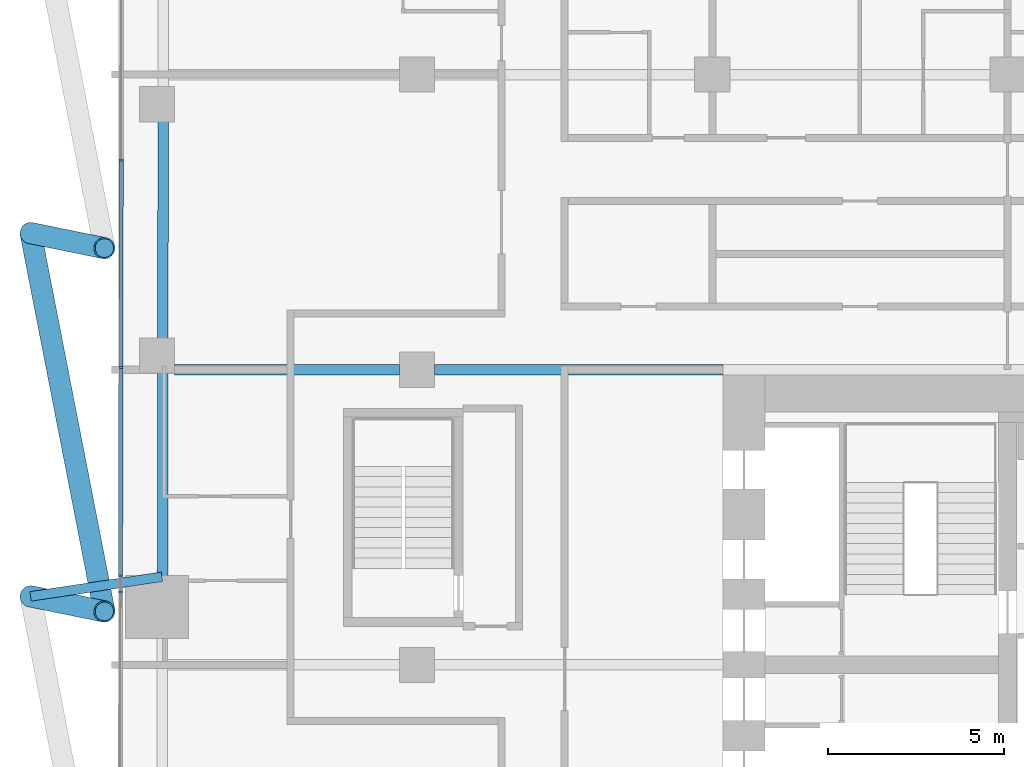
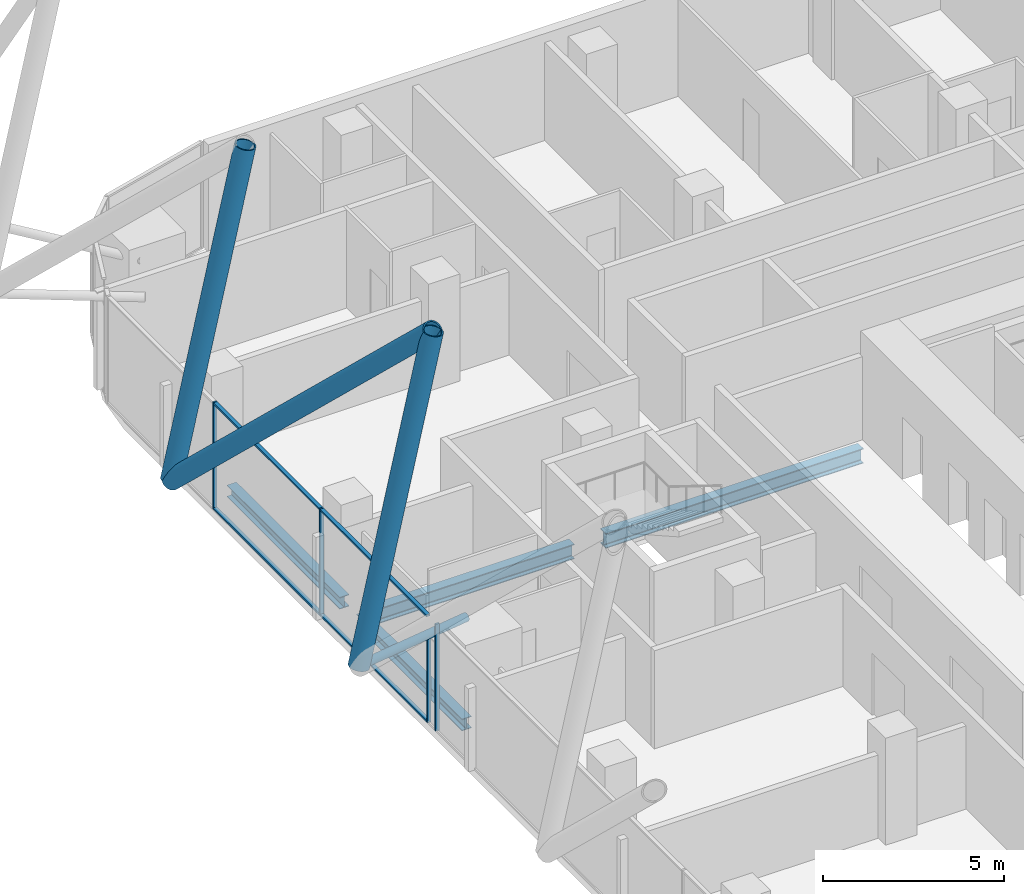
# One storey, part 9 of 36: 12 members, 4 beams, 3 elements without a shape of their own.
"""IFC4 building model written with IfcOpenShell, lengths in metres."""

import ifcopenshell
import ifcopenshell.guid

model = None  # the IFC model being written
_history = None  # IfcOwnerHistory: only IFC2X3 demands one
_inside = {}  # id of a spatial element -> (the spatial element, [elements in it])
_under = {}  # id of a project, library or spatial element -> (it, [spatial elements below it])
_declared = {}  # id of a project -> (the project, [libraries it declares])
_typed = {}  # id of a type object -> (the type object, [elements of that type])
_made_of = {}  # id of a material, layer set ... -> (it, [elements and type objects made of it])


def new_model(schema):
    """Start an empty IFC model of exactly this schema.

    Asked for "IFC4X3", IfcOpenShell would pick the latest addendum, in which some entities
    have other attributes; the version numbers below select the first issue.
    IFC2X3 requires an IfcOwnerHistory on every rooted entity: one is made here for all.
    """
    global model, _history
    if schema == "IFC4X3":
        model = ifcopenshell.file(schema_version=(4, 3, 0, 0))
    else:
        model = ifcopenshell.file(schema=schema)
    _inside.clear()
    _under.clear()
    _declared.clear()
    _typed.clear()
    _made_of.clear()
    _history = None
    if model.schema == "IFC2X3":
        org = make("IfcOrganization", Name="unknown")
        user = make(
            "IfcPersonAndOrganization",
            ThePerson=make("IfcPerson", FamilyName="unknown"),
            TheOrganization=org,
        )
        app = make(
            "IfcApplication",
            ApplicationDeveloper=org,
            Version="unknown",
            ApplicationFullName="unknown",
            ApplicationIdentifier="unknown",
        )
        _history = make(
            "IfcOwnerHistory",
            OwningUser=user,
            OwningApplication=app,
            ChangeAction="ADDED",
            CreationDate=0,
        )
    return model


def make(cls, **values):
    """One entity of the class cls with the attributes given. An attribute that is None is left unset."""
    return model.create_entity(
        cls, **{name: value for name, value in values.items() if value is not None}
    )


def rooted(cls, **values):
    """An entity with a GlobalId (a new one), such as an element, a storey or a relation."""
    return make(cls, GlobalId=ifcopenshell.guid.new(), OwnerHistory=_history, **values)


def si_unit(unit_type, name, prefix=None):
    """IfcSIUnit, for example si_unit("LENGTHUNIT", "METRE", prefix="MILLI")."""
    return make("IfcSIUnit", UnitType=unit_type, Prefix=prefix, Name=name)


def assignment(units):
    """IfcUnitAssignment: the units of a project."""
    return None if units is None else make("IfcUnitAssignment", Units=units)


def point(xyz):
    """IfcCartesianPoint."""
    return None if xyz is None else make("IfcCartesianPoint", Coordinates=xyz)


def direction(xyz):
    """IfcDirection."""
    return None if xyz is None else make("IfcDirection", DirectionRatios=xyz)


def frame(location, z_axis=None, x_axis=None):
    """IfcAxis2Placement3D, a coordinate frame: its origin and axes. An axis left out is left unset."""
    return make(
        "IfcAxis2Placement3D",
        Location=point(location),
        Axis=direction(z_axis),
        RefDirection=direction(x_axis),
    )


def frame_2d(location, x_axis=None):
    """IfcAxis2Placement2D, a coordinate frame in the plane: its origin and x axis."""
    return make(
        "IfcAxis2Placement2D", Location=point(location), RefDirection=direction(x_axis)
    )


def origin():
    """The frame at (0, 0, 0) with its axes left unset."""
    return frame((0.0, 0.0, 0.0))


def origin_2d():
    """The frame at (0, 0) in the plane with its x axis left unset."""
    return frame_2d((0.0, 0.0))


def place(relative_to, where):
    """IfcLocalPlacement: puts the frame where relative to a parent placement (None: the world)."""
    return make(
        "IfcLocalPlacement", PlacementRelTo=relative_to, RelativePlacement=where
    )


def context(
    kind, dimensions, precision=None, world=None, true_north=None, identifier=None
):
    """IfcGeometricRepresentationContext, for example the 3D "Model" context."""
    return make(
        "IfcGeometricRepresentationContext",
        ContextIdentifier=identifier,
        ContextType=kind,
        CoordinateSpaceDimension=dimensions,
        Precision=precision,
        WorldCoordinateSystem=world,
        TrueNorth=true_north,
    )


def subcontext(parent, identifier, kind, view, scale=None):
    """IfcGeometricRepresentationSubContext, for example "Body" below "Model"."""
    return make(
        "IfcGeometricRepresentationSubContext",
        ContextIdentifier=identifier,
        ContextType=kind,
        ParentContext=parent,
        TargetScale=scale,
        TargetView=view,
    )


def project(units=None, contexts=None):
    """IfcProject with its units and contexts."""
    return rooted(
        "IfcProject",
        Name="project",
        RepresentationContexts=contexts,
        UnitsInContext=assignment(units),
    )


def spatial(cls, under=None, at=None, **own):
    """A site, building, storey or space (cls), placed at a placement, below another one or the project."""
    s = rooted(cls, ObjectPlacement=at, **own)
    if under is not None:
        _under.setdefault(under.id(), (under, []))[1].append(s)
    return s


def profile(cls, at=None, kind="AREA", **sizes):
    """A parametric profile (cls). Its sizes go by their IFC names, for example OverallWidth=200.0."""
    return make(cls, ProfileType=kind, Position=at, **sizes)


def rectangle(**sizes):
    """IfcRectangleProfileDef."""
    return profile("IfcRectangleProfileDef", **sizes)


def hollow_circle(**sizes):
    """IfcCircleHollowProfileDef."""
    return profile("IfcCircleHollowProfileDef", **sizes)


def i_section(**sizes):
    """IfcIShapeProfileDef."""
    return profile("IfcIShapeProfileDef", **sizes)


def extrude(swept, where, along, depth):
    """IfcExtrudedAreaSolid: the profile swept, set in the frame where, extruded along a direction by depth."""
    return make(
        "IfcExtrudedAreaSolid",
        SweptArea=swept,
        Position=where,
        ExtrudedDirection=direction(along),
        Depth=depth,
    )


def shape(context_of_items, identifier, shape_type, items):
    """IfcShapeRepresentation: the items that make up one representation, for example the "Body"."""
    return make(
        "IfcShapeRepresentation",
        ContextOfItems=context_of_items,
        RepresentationIdentifier=identifier,
        RepresentationType=shape_type,
        Items=items,
    )


def material(Name=None, Category=None):
    """IfcMaterial."""
    return make("IfcMaterial", Name=Name, Category=Category)


def layer(
    of_material, thickness, ventilated=None, Name=None, Category=None, Priority=None
):
    """IfcMaterialLayer: one layer of a wall or slab, of a material (None: an air gap)."""
    return make(
        "IfcMaterialLayer",
        Material=of_material,
        LayerThickness=thickness,
        IsVentilated=ventilated,
        Name=Name,
        Category=Category,
        Priority=Priority,
    )


def layer_set(layers, Name=None):
    """IfcMaterialLayerSet."""
    return make("IfcMaterialLayerSet", MaterialLayers=layers, LayerSetName=Name)


def material_profile(
    of_material, cross_section, Name=None, Category=None, Priority=None
):
    """IfcMaterialProfile: a cross section and its material."""
    return make(
        "IfcMaterialProfile",
        Name=Name,
        Material=of_material,
        Profile=cross_section,
        Priority=Priority,
        Category=Category,
    )


def profile_set(profiles, Name=None, composite=None):
    """IfcMaterialProfileSet."""
    return make(
        "IfcMaterialProfileSet",
        Name=Name,
        MaterialProfiles=profiles,
        CompositeProfile=composite,
    )


def made_of(thing, what):
    """Note that an element or type object is made of a material, layer set ...; save() writes the relation."""
    if what is not None:
        _made_of.setdefault(what.id(), (what, []))[1].append(thing)
    return thing


def type_object(cls, material=None, **own):
    """A type object (cls), such as IfcWallType, which elements share."""
    return made_of(rooted(cls, **own), material)


def element(
    cls,
    number,
    at=None,
    inside=None,
    cuts=None,
    type_object=None,
    material=None,
    context=None,
    identifier="Body",
    shape_type=None,
    held_by="IfcProductDefinitionShape",
    body=None,
    shapes=None,
    **own,
):
    """One element of the class cls, such as IfcWall. Its Tag is "e" and its number.

    at: its placement. inside: the storey or other place that contains it. cuts: it is an
    opening in that element (IfcRelVoidsElement). A single representation is given by context,
    identifier, shape_type and body (its items); several are given by shapes. held_by: the class
    of the entity that holds the representations. save() writes the other relations.
    """
    e = rooted(cls, Tag="e%d" % number, ObjectPlacement=at, **own)
    if body is not None:
        shapes = [shape(context, identifier, shape_type, body)]
    if shapes is not None:
        e.Representation = make(held_by, Representations=shapes)
    if inside is not None:
        _inside.setdefault(inside.id(), (inside, []))[1].append(e)
    if cuts is not None:
        rooted(
            "IfcRelVoidsElement", RelatingBuildingElement=cuts, RelatedOpeningElement=e
        )
    if type_object is not None:
        _typed.setdefault(type_object.id(), (type_object, []))[1].append(e)
    return made_of(e, material)


def aggregate(whole, parts):
    """IfcRelAggregates: a whole, such as a stair, and the parts it consists of."""
    return rooted("IfcRelAggregates", RelatingObject=whole, RelatedObjects=parts)


def save(model, path):
    """Write the relations noted so far, then the file.

    IfcRelAggregates (storeys below a building ...), IfcRelContainedInSpatialStructure (elements
    in a storey), IfcRelDefinesByType, IfcRelAssociatesMaterial and IfcRelDeclares: one each for
    every whole, place, type object, material and project.
    """
    for whole, parts in _under.values():
        aggregate(whole, parts)
    for where, things in _inside.values():
        rooted(
            "IfcRelContainedInSpatialStructure",
            RelatedElements=things,
            RelatingStructure=where,
        )
    for kind, things in _typed.values():
        rooted("IfcRelDefinesByType", RelatedObjects=things, RelatingType=kind)
    for what, things in _made_of.values():
        rooted("IfcRelAssociatesMaterial", RelatedObjects=things, RelatingMaterial=what)
    for by, libraries in _declared.values():
        rooted("IfcRelDeclares", RelatingContext=by, RelatedDefinitions=libraries)
    model.write(path)


model = new_model("IFC4")

# Units and contexts
model_context = context("Model", 3, precision=1e-05, world=origin(), true_north=direction((0.0, 1.0)))
body_context = subcontext(model_context, "Body", "Model", "MODEL_VIEW")
ifc_project = project(units=[si_unit("LENGTHUNIT", "METRE"), si_unit("AREAUNIT", "SQUARE_METRE"), si_unit("VOLUMEUNIT", "CUBIC_METRE"), si_unit("PLANEANGLEUNIT", "RADIAN"), si_unit("MASSUNIT", "GRAM", prefix="KILO")], contexts=[model_context])

# Site, building, storey
site_placement = place(None, origin())
site = spatial("IfcSite", under=ifc_project, at=site_placement, CompositionType="ELEMENT")
building_placement = place(site_placement, origin())
building = spatial("IfcBuilding", under=site, at=building_placement, Name="Marenta Gate Hotel Tower", CompositionType="ELEMENT")
storey_placement = place(building_placement, frame((0.0, 0.0, 83.300048828125)))
storey = spatial("IfcBuildingStorey", under=building, at=storey_placement, Name="L19", CompositionType="ELEMENT", Elevation=83.300048828125)

# Members
ifc_material_1 = material(Name="Steel S355J2W", Category="steel")
ifc_material_profile_1 = material_profile(ifc_material_1, hollow_circle(Radius=0.304931640625, WallThickness=0.0400390625, at=origin_2d()), Name="CHS 610x40")
ifc_profile_set_1 = profile_set([ifc_material_profile_1], Name="Steel S355J2W")
member_type_1 = type_object("IfcMemberType", Name="Diagrid diagonal T1 CHS 610x40", PredefinedType="BRACE", material=ifc_profile_set_1)
member_1_placement = place(storey_placement, frame((-32.0, 10.349853515625, 3.139892578125), z_axis=(0.190731815435, -0.039046585327, 0.980865301025), x_axis=(0.200560207771, 0.979681378336, 0.0)))
element("IfcMember", 1, at=member_1_placement, inside=storey, type_object=member_type_1, Name="L19-DG-30", PredefinedType="BRACE", context=body_context, shape_type="SweptSolid", body=[
    extrude(hollow_circle(Radius=0.304931640625, WallThickness=0.0400390625, at=origin_2d()), origin(), (0.0, 0.0, 1.0), 11.0107421875),
])
member_2_placement = place(storey_placement, frame((-32.0, 20.68994140625, 3.139892578125), z_axis=(0.136403114628, -0.69952185523, 0.701472283398), x_axis=(0.981514045442, 0.191390121478, 0.0)))
element("IfcMember", 2, at=member_2_placement, inside=storey, type_object=member_type_1, Name="L19-DG-31", PredefinedType="BRACE", context=body_context, shape_type="SweptSolid", body=[
    extrude(hollow_circle(Radius=0.304931640625, WallThickness=0.0400390625, at=origin_2d()), origin(), (0.0, 0.0, 1.0), 15.396240234375),
])
member_3_placement = place(storey_placement, frame((-32.0, 20.68994140625, 3.139892578125), z_axis=(0.190731815435, -0.039046585327, 0.980865301025), x_axis=(0.200560207771, 0.979681378336, 0.0)))
element("IfcMember", 3, at=member_3_placement, inside=storey, type_object=member_type_1, Name="L19-DG-32", PredefinedType="BRACE", context=body_context, shape_type="SweptSolid", body=[
    extrude(hollow_circle(Radius=0.304931640625, WallThickness=0.0400390625, at=origin_2d()), origin(), (0.0, 0.0, 1.0), 11.0107421875),
])

# Beams
ifc_material_2 = material(Name="Steel S355", Category="steel")
ifc_material_profile_2 = material_profile(ifc_material_2, i_section(OverallWidth=0.300048828125, OverallDepth=0.39990234375, WebThickness=0.013427734375, FlangeThickness=0.02392578125, FilletRadius=0.027099609375, at=origin_2d()), Name="HEB 400")
ifc_profile_set_2 = profile_set([ifc_material_profile_2], Name="Steel S355")
beam_type_1 = type_object("IfcBeamType", Name="Edge beam HEB 400", PredefinedType="SPANDREL", material=ifc_profile_set_2)
beam_1_placement = place(storey_placement, frame((-28.246337890625, 10.909912109375, -0.4599609375), z_axis=(0.001423009483, 0.999998987521, 0.0), x_axis=(-0.999998987521, 0.001423009483, 0.0)))
element("IfcBeam", 4, at=beam_1_placement, inside=storey, type_object=beam_type_1, Name="L19-EB-8", PredefinedType="SPANDREL", context=body_context, shape_type="SweptSolid", body=[
    extrude(i_section(OverallWidth=0.300048828125, OverallDepth=0.39990234375, WebThickness=0.013427734375, FlangeThickness=0.02392578125, FilletRadius=0.027099609375, at=origin_2d()), origin(), (0.0, 0.0, 1.0), 5.833251953125),
])
beam_2_placement = place(storey_placement, frame((-28.23681640625, 17.6630859375, -0.4599609375), z_axis=(0.001370827476, 0.999999060416, 0.0), x_axis=(-0.999999060416, 0.001370827476, 0.0)))
element("IfcBeam", 5, at=beam_2_placement, inside=storey, type_object=beam_type_1, Name="L19-EB-9", PredefinedType="SPANDREL", context=body_context, shape_type="SweptSolid", body=[
    extrude(i_section(OverallWidth=0.300048828125, OverallDepth=0.39990234375, WebThickness=0.013427734375, FlangeThickness=0.02392578125, FilletRadius=0.027099609375, at=origin_2d()), origin(), (0.0, 0.0, 1.0), 6.2333984375),
])

# Member
ifc_material_3 = material(Name="Steel S355J2W", Category="steel")
ifc_material_profile_3 = material_profile(ifc_material_3, hollow_circle(Radius=0.136474609375, WallThickness=0.012451171875, at=origin_2d()), Name="CHS 273x12.5")
ifc_profile_set_3 = profile_set([ifc_material_profile_3], Name="Steel S355J2W")
member_type_2 = type_object("IfcMemberType", Name="Floor tie CHS 273x12.5", PredefinedType="STRUT", material=ifc_profile_set_3)
member_4_placement = place(storey_placement, frame((-32.0, 10.349853515625, 3.139892578125), z_axis=(0.9890506994, 0.147576129563, 0.0), x_axis=(-0.147576129563, 0.9890506994, 0.0)))
element("IfcMember", 6, at=member_4_placement, inside=storey, type_object=member_type_2, Name="L19-DR-20", PredefinedType="STRUT", context=body_context, shape_type="SweptSolid", body=[
    extrude(hollow_circle(Radius=0.136474609375, WallThickness=0.012451171875, at=origin_2d()), origin(), (0.0, 0.0, 1.0), 3.7802734375),
])

# Beams
ifc_material_4 = material(Name="Steel S355", Category="steel")
ifc_material_profile_4 = material_profile(ifc_material_4, i_section(OverallWidth=0.300048828125, OverallDepth=0.5, WebThickness=0.014404296875, FlangeThickness=0.028076171875, FilletRadius=0.027099609375, at=origin_2d()), Name="HEB 500")
ifc_profile_set_4 = profile_set([ifc_material_profile_4], Name="Steel S355")
beam_type_2 = type_object("IfcBeamType", Name="Girder HEB 500", PredefinedType="BEAM", material=ifc_profile_set_4)
beam_3_placement = place(storey_placement, frame((-27.89990234375, 16.800048828125, -0.510009765625), z_axis=(1.0, 0.0, 0.0), x_axis=(0.0, 1.0, 0.0)))
element("IfcBeam", 7, at=beam_3_placement, inside=storey, type_object=beam_type_2, Name="L19-GD-17", PredefinedType="BEAM", context=body_context, shape_type="SweptSolid", body=[
    extrude(i_section(OverallWidth=0.300048828125, OverallDepth=0.5, WebThickness=0.014404296875, FlangeThickness=0.028076171875, FilletRadius=0.027099609375, at=origin_2d()), origin(), (0.0, 0.0, 1.0), 6.39990234375),
])
beam_4_placement = place(storey_placement, frame((-20.5, 16.800048828125, -0.510009765625), z_axis=(1.0, 0.0, 0.0), x_axis=(0.0, 1.0, 0.0)))
element("IfcBeam", 8, at=beam_4_placement, inside=storey, type_object=beam_type_2, Name="L19-GD-18", PredefinedType="BEAM", context=body_context, shape_type="SweptSolid", body=[
    extrude(i_section(OverallWidth=0.300048828125, OverallDepth=0.5, WebThickness=0.014404296875, FlangeThickness=0.028076171875, FilletRadius=0.027099609375, at=origin_2d()), origin(), (0.0, 0.0, 1.0), 8.199951171875),
])

# Curtain wall, members
ifc_material_5 = material(Name="Tinted insulated glass in bronze anodised frame", Category="glass")
ifc_layer = layer(ifc_material_5, 0.1201171875)
ifc_layer_set = layer_set([ifc_layer], Name="Tinted insulated glass in bronze anodised frame")
curtain_wall_type = type_object("IfcCurtainWallType", Name="Tower unitised curtain wall CW1", PredefinedType="NOTDEFINED", material=ifc_layer_set)
curtain_wall_1_placement = place(storey_placement, origin())
curtain_wall_1 = element("IfcCurtainWall", 9, at=curtain_wall_1_placement, inside=storey, type_object=curtain_wall_type, Name="CW1 run G06", PredefinedType="NOTDEFINED")
ifc_material_6 = material(Name="Bronze anodised aluminium", Category="aluminium")
ifc_material_profile_5 = material_profile(ifc_material_6, rectangle(XDim=0.1201171875, YDim=0.06005859375, at=origin_2d()), Name="Mullion CW1 60x120 bronze anodised aluminium")
ifc_profile_set_5 = profile_set([ifc_material_profile_5], Name="Bronze anodised aluminium")
member_type_3 = type_object("IfcMemberType", Name="Mullion CW1 60x120 bronze anodised aluminium", PredefinedType="MULLION", material=ifc_profile_set_5)
member_5_placement = place(storey_placement, frame((-29.421630859375, 22.764404296875, 0.0), z_axis=(0.0, 0.0, 1.0), x_axis=(0.999998767315, -0.001570149369, 0.0)))
member_5 = element("IfcMember", 10, at=member_5_placement, type_object=member_type_3, Name="CW1 mullion 2", PredefinedType="MULLION", context=body_context, shape_type="SweptSolid", body=[
    extrude(rectangle(XDim=0.1201171875, YDim=0.06005859375, at=origin_2d()), origin(), (0.0, 0.0, 1.0), 3.599853515625),
])
member_6_placement = place(storey_placement, frame((-29.430908203125, 16.862548828125, 0.0), z_axis=(0.0, 0.0, 1.0), x_axis=(0.999998767315, -0.001570149369, 0.0)))
member_6 = element("IfcMember", 11, at=member_6_placement, type_object=member_type_3, Name="CW1 mullion 3", PredefinedType="MULLION", context=body_context, shape_type="SweptSolid", body=[
    extrude(rectangle(XDim=0.1201171875, YDim=0.06005859375, at=origin_2d()), origin(), (0.0, 0.0, 1.0), 3.599853515625),
])

# Curtain wall, member
curtain_wall_2_placement = place(storey_placement, origin())
curtain_wall_2 = element("IfcCurtainWall", 12, at=curtain_wall_2_placement, inside=storey, type_object=curtain_wall_type, Name="CW1 run G07", PredefinedType="NOTDEFINED")
member_7_placement = place(storey_placement, frame((-29.440185546875, 10.930908203125, 0.0), z_axis=(0.0, 0.0, 1.0), x_axis=(0.999998832533, -0.001528048866, 0.0)))
member_7 = element("IfcMember", 13, at=member_7_placement, type_object=member_type_3, Name="CW1 mullion 1", PredefinedType="MULLION", context=body_context, shape_type="SweptSolid", body=[
    extrude(rectangle(XDim=0.1201171875, YDim=0.06005859375, at=origin_2d()), origin(), (0.0, 0.0, 1.0), 3.00048828125),
])
aggregate(curtain_wall_2, [member_7])

curtain_wall_3_placement = place(storey_placement, origin())
curtain_wall_3 = element("IfcCurtainWall", 14, at=curtain_wall_3_placement, inside=storey, type_object=curtain_wall_type, Name="CW1 run G08", PredefinedType="NOTDEFINED")
member_8_placement = place(storey_placement, frame((-29.44091796875, 10.472900390625, 0.0), z_axis=(0.0, 0.0, 1.0), x_axis=(0.999998775989, -0.00156461532, 0.0)))
member_8 = element("IfcMember", 15, at=member_8_placement, type_object=member_type_3, Name="CW1 mullion 1", PredefinedType="MULLION", context=body_context, shape_type="SweptSolid", body=[
    extrude(rectangle(XDim=0.1201171875, YDim=0.06005859375, at=origin_2d()), origin(), (0.0, 0.0, 1.0), 3.599853515625),
])
aggregate(curtain_wall_3, [member_8])

# Member
ifc_material_7 = material(Name="Bronze anodised aluminium", Category="aluminium")
ifc_material_profile_6 = material_profile(ifc_material_7, rectangle(XDim=0.1201171875, YDim=0.06005859375, at=origin_2d()), Name="Transom CW1 60x120 bronze anodised aluminium")
ifc_profile_set_6 = profile_set([ifc_material_profile_6], Name="Bronze anodised aluminium")
member_type_4 = type_object("IfcMemberType", Name="Transom CW1 60x120 bronze anodised aluminium", PredefinedType="USERDEFINED", material=ifc_profile_set_6)
member_9_placement = place(storey_placement, frame((-29.421630859375, 22.734375, 0.030029296875), z_axis=(-0.001588095624, -0.999998738975, 0.0), x_axis=(0.999998738975, -0.001588095624, 0.0)))
member_9 = element("IfcMember", 16, at=member_9_placement, type_object=member_type_4, Name="CW1 transom 2.1", ObjectType="TRANSOM", PredefinedType="USERDEFINED", context=body_context, shape_type="SweptSolid", body=[
    extrude(rectangle(XDim=0.1201171875, YDim=0.06005859375, at=origin_2d()), origin(), (0.0, 0.0, 1.0), 5.841796875),
])

member_10_placement = place(storey_placement, frame((-29.421630859375, 22.734375, 3.570068359375), z_axis=(-0.001588095624, -0.999998738975, 0.0), x_axis=(0.999998738975, -0.001588095624, 0.0)))
member_10 = element("IfcMember", 17, at=member_10_placement, type_object=member_type_4, Name="CW1 transom 2.2", ObjectType="TRANSOM", PredefinedType="USERDEFINED", context=body_context, shape_type="SweptSolid", body=[
    extrude(rectangle(XDim=0.1201171875, YDim=0.06005859375, at=origin_2d()), origin(), (0.0, 0.0, 1.0), 5.841796875),
])

member_11_placement = place(storey_placement, frame((-29.430908203125, 16.832763671875, 0.030029296875), z_axis=(-0.001579973913, -0.99999875184, 0.0), x_axis=(0.99999875184, -0.001579973913, 0.0)))
member_11 = element("IfcMember", 18, at=member_11_placement, type_object=member_type_4, Name="CW1 transom 3.1", ObjectType="TRANSOM", PredefinedType="USERDEFINED", context=body_context, shape_type="SweptSolid", body=[
    extrude(rectangle(XDim=0.1201171875, YDim=0.06005859375, at=origin_2d()), origin(), (0.0, 0.0, 1.0), 5.871826171875),
])

member_12_placement = place(storey_placement, frame((-29.430908203125, 16.832763671875, 3.570068359375), z_axis=(-0.001579973913, -0.99999875184, 0.0), x_axis=(0.99999875184, -0.001579973913, 0.0)))
member_12 = element("IfcMember", 19, at=member_12_placement, type_object=member_type_4, Name="CW1 transom 3.2", ObjectType="TRANSOM", PredefinedType="USERDEFINED", context=body_context, shape_type="SweptSolid", body=[
    extrude(rectangle(XDim=0.1201171875, YDim=0.06005859375, at=origin_2d()), origin(), (0.0, 0.0, 1.0), 5.871826171875),
])

aggregate(curtain_wall_1, [member_5, member_6, member_9, member_10, member_11, member_12])

save(model, "model.ifc")
